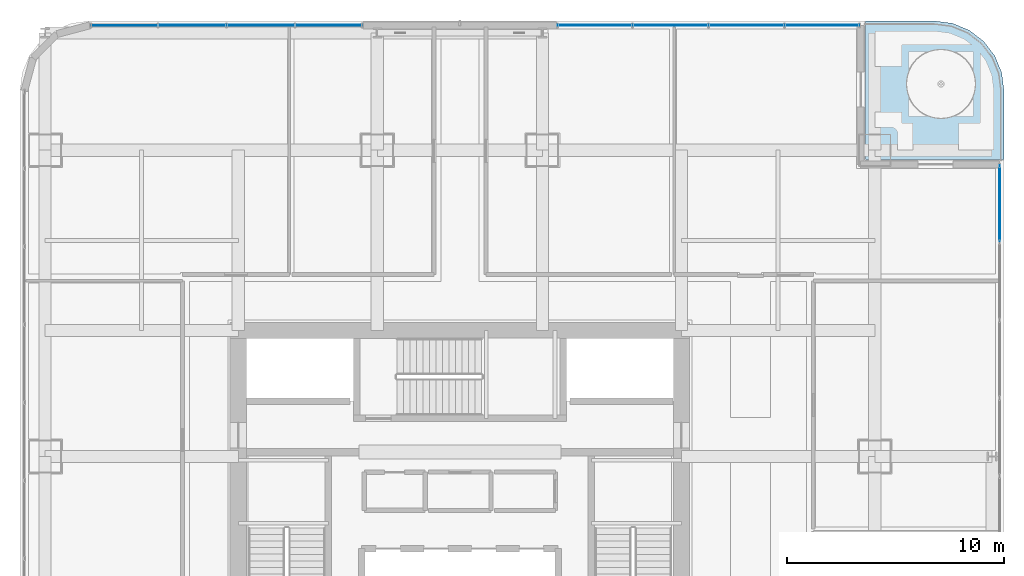
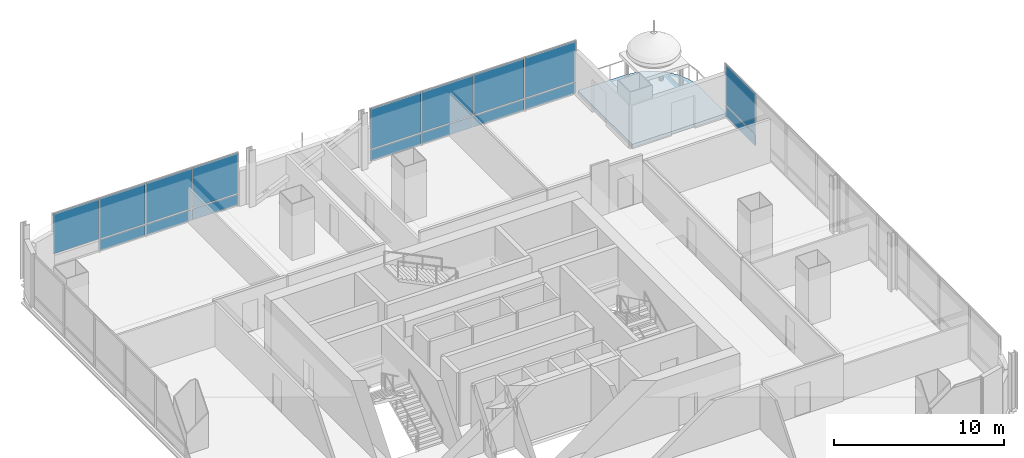
# One storey, part 24 of 37: 17 plates, 1 slab, 3 elements without a shape of their own.
"""IFC4 building model written with IfcOpenShell, lengths in metres."""

import ifcopenshell
import ifcopenshell.guid

model = None  # the IFC model being written
_history = None  # IfcOwnerHistory: only IFC2X3 demands one
_inside = {}  # id of a spatial element -> (the spatial element, [elements in it])
_under = {}  # id of a project, library or spatial element -> (it, [spatial elements below it])
_declared = {}  # id of a project -> (the project, [libraries it declares])
_typed = {}  # id of a type object -> (the type object, [elements of that type])
_made_of = {}  # id of a material, layer set ... -> (it, [elements and type objects made of it])


def new_model(schema):
    """Start an empty IFC model of exactly this schema.

    Asked for "IFC4X3", IfcOpenShell would pick the latest addendum, in which some entities
    have other attributes; the version numbers below select the first issue.
    IFC2X3 requires an IfcOwnerHistory on every rooted entity: one is made here for all.
    """
    global model, _history
    if schema == "IFC4X3":
        model = ifcopenshell.file(schema_version=(4, 3, 0, 0))
    else:
        model = ifcopenshell.file(schema=schema)
    _inside.clear()
    _under.clear()
    _declared.clear()
    _typed.clear()
    _made_of.clear()
    _history = None
    if model.schema == "IFC2X3":
        org = make("IfcOrganization", Name="unknown")
        user = make(
            "IfcPersonAndOrganization",
            ThePerson=make("IfcPerson", FamilyName="unknown"),
            TheOrganization=org,
        )
        app = make(
            "IfcApplication",
            ApplicationDeveloper=org,
            Version="unknown",
            ApplicationFullName="unknown",
            ApplicationIdentifier="unknown",
        )
        _history = make(
            "IfcOwnerHistory",
            OwningUser=user,
            OwningApplication=app,
            ChangeAction="ADDED",
            CreationDate=0,
        )
    return model


def make(cls, **values):
    """One entity of the class cls with the attributes given. An attribute that is None is left unset."""
    return model.create_entity(
        cls, **{name: value for name, value in values.items() if value is not None}
    )


def rooted(cls, **values):
    """An entity with a GlobalId (a new one), such as an element, a storey or a relation."""
    return make(cls, GlobalId=ifcopenshell.guid.new(), OwnerHistory=_history, **values)


def si_unit(unit_type, name, prefix=None):
    """IfcSIUnit, for example si_unit("LENGTHUNIT", "METRE", prefix="MILLI")."""
    return make("IfcSIUnit", UnitType=unit_type, Prefix=prefix, Name=name)


def assignment(units):
    """IfcUnitAssignment: the units of a project."""
    return None if units is None else make("IfcUnitAssignment", Units=units)


def point(xyz):
    """IfcCartesianPoint."""
    return None if xyz is None else make("IfcCartesianPoint", Coordinates=xyz)


def direction(xyz):
    """IfcDirection."""
    return None if xyz is None else make("IfcDirection", DirectionRatios=xyz)


def frame(location, z_axis=None, x_axis=None):
    """IfcAxis2Placement3D, a coordinate frame: its origin and axes. An axis left out is left unset."""
    return make(
        "IfcAxis2Placement3D",
        Location=point(location),
        Axis=direction(z_axis),
        RefDirection=direction(x_axis),
    )


def frame_2d(location, x_axis=None):
    """IfcAxis2Placement2D, a coordinate frame in the plane: its origin and x axis."""
    return make(
        "IfcAxis2Placement2D", Location=point(location), RefDirection=direction(x_axis)
    )


def origin():
    """The frame at (0, 0, 0) with its axes left unset."""
    return frame((0.0, 0.0, 0.0))


def origin_2d():
    """The frame at (0, 0) in the plane with its x axis left unset."""
    return frame_2d((0.0, 0.0))


def place(relative_to, where):
    """IfcLocalPlacement: puts the frame where relative to a parent placement (None: the world)."""
    return make(
        "IfcLocalPlacement", PlacementRelTo=relative_to, RelativePlacement=where
    )


def context(
    kind, dimensions, precision=None, world=None, true_north=None, identifier=None
):
    """IfcGeometricRepresentationContext, for example the 3D "Model" context."""
    return make(
        "IfcGeometricRepresentationContext",
        ContextIdentifier=identifier,
        ContextType=kind,
        CoordinateSpaceDimension=dimensions,
        Precision=precision,
        WorldCoordinateSystem=world,
        TrueNorth=true_north,
    )


def subcontext(parent, identifier, kind, view, scale=None):
    """IfcGeometricRepresentationSubContext, for example "Body" below "Model"."""
    return make(
        "IfcGeometricRepresentationSubContext",
        ContextIdentifier=identifier,
        ContextType=kind,
        ParentContext=parent,
        TargetScale=scale,
        TargetView=view,
    )


def project(units=None, contexts=None):
    """IfcProject with its units and contexts."""
    return rooted(
        "IfcProject",
        Name="project",
        RepresentationContexts=contexts,
        UnitsInContext=assignment(units),
    )


def spatial(cls, under=None, at=None, **own):
    """A site, building, storey or space (cls), placed at a placement, below another one or the project."""
    s = rooted(cls, ObjectPlacement=at, **own)
    if under is not None:
        _under.setdefault(under.id(), (under, []))[1].append(s)
    return s


def polyline(points):
    """IfcPolyline through the points."""
    return make("IfcPolyline", Points=[point(p) for p in points])


def profile(cls, at=None, kind="AREA", **sizes):
    """A parametric profile (cls). Its sizes go by their IFC names, for example OverallWidth=200.0."""
    return make(cls, ProfileType=kind, Position=at, **sizes)


def rectangle(**sizes):
    """IfcRectangleProfileDef."""
    return profile("IfcRectangleProfileDef", **sizes)


def outline(outer, holes=None, kind="AREA"):
    """IfcArbitraryClosedProfileDef: a profile drawn as a closed curve; with holes, ...WithVoids."""
    if holes is None:
        return make("IfcArbitraryClosedProfileDef", ProfileType=kind, OuterCurve=outer)
    return make(
        "IfcArbitraryProfileDefWithVoids",
        ProfileType=kind,
        OuterCurve=outer,
        InnerCurves=holes,
    )


def extrude(swept, where, along, depth):
    """IfcExtrudedAreaSolid: the profile swept, set in the frame where, extruded along a direction by depth."""
    return make(
        "IfcExtrudedAreaSolid",
        SweptArea=swept,
        Position=where,
        ExtrudedDirection=direction(along),
        Depth=depth,
    )


def shape(context_of_items, identifier, shape_type, items):
    """IfcShapeRepresentation: the items that make up one representation, for example the "Body"."""
    return make(
        "IfcShapeRepresentation",
        ContextOfItems=context_of_items,
        RepresentationIdentifier=identifier,
        RepresentationType=shape_type,
        Items=items,
    )


def material(Name=None, Category=None):
    """IfcMaterial."""
    return make("IfcMaterial", Name=Name, Category=Category)


def layer(
    of_material, thickness, ventilated=None, Name=None, Category=None, Priority=None
):
    """IfcMaterialLayer: one layer of a wall or slab, of a material (None: an air gap)."""
    return make(
        "IfcMaterialLayer",
        Material=of_material,
        LayerThickness=thickness,
        IsVentilated=ventilated,
        Name=Name,
        Category=Category,
        Priority=Priority,
    )


def layer_set(layers, Name=None):
    """IfcMaterialLayerSet."""
    return make("IfcMaterialLayerSet", MaterialLayers=layers, LayerSetName=Name)


def made_of(thing, what):
    """Note that an element or type object is made of a material, layer set ...; save() writes the relation."""
    if what is not None:
        _made_of.setdefault(what.id(), (what, []))[1].append(thing)
    return thing


def type_object(cls, material=None, **own):
    """A type object (cls), such as IfcWallType, which elements share."""
    return made_of(rooted(cls, **own), material)


def element(
    cls,
    number,
    at=None,
    inside=None,
    cuts=None,
    type_object=None,
    material=None,
    context=None,
    identifier="Body",
    shape_type=None,
    held_by="IfcProductDefinitionShape",
    body=None,
    shapes=None,
    **own,
):
    """One element of the class cls, such as IfcWall. Its Tag is "e" and its number.

    at: its placement. inside: the storey or other place that contains it. cuts: it is an
    opening in that element (IfcRelVoidsElement). A single representation is given by context,
    identifier, shape_type and body (its items); several are given by shapes. held_by: the class
    of the entity that holds the representations. save() writes the other relations.
    """
    e = rooted(cls, Tag="e%d" % number, ObjectPlacement=at, **own)
    if body is not None:
        shapes = [shape(context, identifier, shape_type, body)]
    if shapes is not None:
        e.Representation = make(held_by, Representations=shapes)
    if inside is not None:
        _inside.setdefault(inside.id(), (inside, []))[1].append(e)
    if cuts is not None:
        rooted(
            "IfcRelVoidsElement", RelatingBuildingElement=cuts, RelatedOpeningElement=e
        )
    if type_object is not None:
        _typed.setdefault(type_object.id(), (type_object, []))[1].append(e)
    return made_of(e, material)


def aggregate(whole, parts):
    """IfcRelAggregates: a whole, such as a stair, and the parts it consists of."""
    return rooted("IfcRelAggregates", RelatingObject=whole, RelatedObjects=parts)


def save(model, path):
    """Write the relations noted so far, then the file.

    IfcRelAggregates (storeys below a building ...), IfcRelContainedInSpatialStructure (elements
    in a storey), IfcRelDefinesByType, IfcRelAssociatesMaterial and IfcRelDeclares: one each for
    every whole, place, type object, material and project.
    """
    for whole, parts in _under.values():
        aggregate(whole, parts)
    for where, things in _inside.values():
        rooted(
            "IfcRelContainedInSpatialStructure",
            RelatedElements=things,
            RelatingStructure=where,
        )
    for kind, things in _typed.values():
        rooted("IfcRelDefinesByType", RelatedObjects=things, RelatingType=kind)
    for what, things in _made_of.values():
        rooted("IfcRelAssociatesMaterial", RelatedObjects=things, RelatingMaterial=what)
    for by, libraries in _declared.values():
        rooted("IfcRelDeclares", RelatingContext=by, RelatedDefinitions=libraries)
    model.write(path)


model = new_model("IFC4")

# Units and contexts
model_context = context("Model", 3, precision=1e-05, world=origin(), true_north=direction((0.0, 1.0)))
body_context = subcontext(model_context, "Body", "Model", "MODEL_VIEW")
ifc_project = project(units=[si_unit("LENGTHUNIT", "METRE"), si_unit("AREAUNIT", "SQUARE_METRE"), si_unit("VOLUMEUNIT", "CUBIC_METRE"), si_unit("PLANEANGLEUNIT", "RADIAN"), si_unit("MASSUNIT", "GRAM", prefix="KILO")], contexts=[model_context])

# Site, building, storey
site_placement = place(None, origin())
site = spatial("IfcSite", under=ifc_project, at=site_placement, CompositionType="ELEMENT")
building_placement = place(site_placement, origin())
building = spatial("IfcBuilding", under=site, at=building_placement, Name="Punatoya Terracotta Tower", CompositionType="ELEMENT")
storey_placement = place(building_placement, frame((0.0, 0.0, 109.199951171875)))
storey = spatial("IfcBuildingStorey", under=building, at=storey_placement, Name="L25", CompositionType="ELEMENT", Elevation=109.199951171875)

# Curtain wall, plate
ifc_material_1 = material(Name="Aluminium 6063-T6 + Double Low-E Glass", Category="aluminium")
curtain_wall_type = type_object("IfcCurtainWallType", Name="CW-M1", PredefinedType="NOTDEFINED", material=ifc_material_1)
curtain_wall_1_placement = place(storey_placement, origin())
curtain_wall_1 = element("IfcCurtainWall", 1, at=curtain_wall_1_placement, inside=storey, type_object=curtain_wall_type, Name="L25 Curtain Wall CW-L25-E05-1", PredefinedType="NOTDEFINED")
ifc_material_2 = material(Name="Double Low-E Clear Vision Glass", Category="glass")
ifc_layer_1 = layer(ifc_material_2, 0.028076171875)
ifc_layer_set_1 = layer_set([ifc_layer_1], Name="Double Low-E Clear Vision Glass")
plate_type_1 = type_object("IfcPlateType", Name="PLT-GLZ-28", PredefinedType="CURTAIN_PANEL", material=ifc_layer_set_1)
plate_1_placement = place(storey_placement, frame((24.85009765625, 15.056396484375, 0.89013671875), z_axis=(0.0, 0.0, 1.0), x_axis=(0.0, 1.0, 0.0)))
plate_1 = element("IfcPlate", 2, at=plate_1_placement, type_object=plate_type_1, Name="CW-L25-E05-1 Vision Glass Panel 9", PredefinedType="CURTAIN_PANEL", context=body_context, shape_type="SweptSolid", body=[
    extrude(rectangle(XDim=3.50244140625, YDim=0.028076171875, at=origin_2d()), origin(), (0.0, 0.0, 1.0), 2.8798828125),
])

# Curtain wall, plates
curtain_wall_2_placement = place(storey_placement, origin())
curtain_wall_2 = element("IfcCurtainWall", 3, at=curtain_wall_2_placement, inside=storey, type_object=curtain_wall_type, Name="L25 Curtain Wall CW-L25-N08-1", PredefinedType="NOTDEFINED")
plate_2_placement = place(storey_placement, frame((16.699951171875, 23.25, 0.89013671875), z_axis=(0.0, 0.0, 1.0), x_axis=(-1.0, 0.0, 0.0)))
plate_2 = element("IfcPlate", 4, at=plate_2_placement, type_object=plate_type_1, Name="CW-L25-N08-1 Vision Glass Panel 1", PredefinedType="CURTAIN_PANEL", context=body_context, shape_type="SweptSolid", body=[
    extrude(rectangle(XDim=3.4150390625, YDim=0.028076171875, at=origin_2d()), origin(), (0.0, 0.0, 1.0), 2.8798828125),
])
plate_3_placement = place(storey_placement, frame((13.199951171875, 23.25, 0.89013671875), z_axis=(0.0, 0.0, 1.0), x_axis=(-1.0, 0.0, 0.0)))
plate_3 = element("IfcPlate", 5, at=plate_3_placement, type_object=plate_type_1, Name="CW-L25-N08-1 Vision Glass Panel 2", PredefinedType="CURTAIN_PANEL", context=body_context, shape_type="SweptSolid", body=[
    extrude(rectangle(XDim=3.4150390625, YDim=0.028076171875, at=origin_2d()), origin(), (0.0, 0.0, 1.0), 2.8798828125),
])
plate_4_placement = place(storey_placement, frame((9.699951171875, 23.25, 0.89013671875), z_axis=(0.0, 0.0, 1.0), x_axis=(-1.0, 0.0, 0.0)))
plate_4 = element("IfcPlate", 6, at=plate_4_placement, type_object=plate_type_1, Name="CW-L25-N08-1 Vision Glass Panel 3", PredefinedType="CURTAIN_PANEL", context=body_context, shape_type="SweptSolid", body=[
    extrude(rectangle(XDim=3.4150390625, YDim=0.028076171875, at=origin_2d()), origin(), (0.0, 0.0, 1.0), 2.8798828125),
])
plate_5_placement = place(storey_placement, frame((6.199951171875, 23.25, 0.89013671875), z_axis=(0.0, 0.0, 1.0), x_axis=(-1.0, 0.0, 0.0)))
plate_5 = element("IfcPlate", 7, at=plate_5_placement, type_object=plate_type_1, Name="CW-L25-N08-1 Vision Glass Panel 4", PredefinedType="CURTAIN_PANEL", context=body_context, shape_type="SweptSolid", body=[
    extrude(rectangle(XDim=3.4150390625, YDim=0.028076171875, at=origin_2d()), origin(), (0.0, 0.0, 1.0), 2.8798828125),
])

curtain_wall_3_placement = place(storey_placement, origin())
curtain_wall_3 = element("IfcCurtainWall", 8, at=curtain_wall_3_placement, inside=storey, type_object=curtain_wall_type, Name="L25 Curtain Wall CW-L25-N08-2", PredefinedType="NOTDEFINED")
plate_6_placement = place(storey_placement, frame((-6.0234375, 23.25, 0.89013671875), z_axis=(0.0, 0.0, 1.0), x_axis=(-1.0, 0.0, 0.0)))
plate_6 = element("IfcPlate", 9, at=plate_6_placement, type_object=plate_type_1, Name="CW-L25-N08-2 Vision Glass Panel 1", PredefinedType="CURTAIN_PANEL", context=body_context, shape_type="SweptSolid", body=[
    extrude(rectangle(XDim=3.061767578125, YDim=0.028076171875, at=origin_2d()), origin(), (0.0, 0.0, 1.0), 2.8798828125),
])
plate_7_placement = place(storey_placement, frame((-9.170166015625, 23.25, 0.89013671875), z_axis=(0.0, 0.0, 1.0), x_axis=(-1.0, 0.0, 0.0)))
plate_7 = element("IfcPlate", 10, at=plate_7_placement, type_object=plate_type_1, Name="CW-L25-N08-2 Vision Glass Panel 2", PredefinedType="CURTAIN_PANEL", context=body_context, shape_type="SweptSolid", body=[
    extrude(rectangle(XDim=3.061767578125, YDim=0.028076171875, at=origin_2d()), origin(), (0.0, 0.0, 1.0), 2.8798828125),
])
plate_8_placement = place(storey_placement, frame((-12.31689453125, 23.25, 0.89013671875), z_axis=(0.0, 0.0, 1.0), x_axis=(-1.0, 0.0, 0.0)))
plate_8 = element("IfcPlate", 11, at=plate_8_placement, type_object=plate_type_1, Name="CW-L25-N08-2 Vision Glass Panel 3", PredefinedType="CURTAIN_PANEL", context=body_context, shape_type="SweptSolid", body=[
    extrude(rectangle(XDim=3.061767578125, YDim=0.028076171875, at=origin_2d()), origin(), (0.0, 0.0, 1.0), 2.8798828125),
])
plate_9_placement = place(storey_placement, frame((-15.46337890625, 23.25, 0.89013671875), z_axis=(0.0, 0.0, 1.0), x_axis=(-1.0, 0.0, 0.0)))
plate_9 = element("IfcPlate", 12, at=plate_9_placement, type_object=plate_type_1, Name="CW-L25-N08-2 Vision Glass Panel 4", PredefinedType="CURTAIN_PANEL", context=body_context, shape_type="SweptSolid", body=[
    extrude(rectangle(XDim=3.061767578125, YDim=0.028076171875, at=origin_2d()), origin(), (0.0, 0.0, 1.0), 2.8798828125),
])

# Plate
ifc_material_3 = material(Name="Insulated Terracotta-Backed Spandrel Panel", Category="masonry")
ifc_layer_2 = layer(ifc_material_3, 0.044921875)
ifc_layer_set_2 = layer_set([ifc_layer_2], Name="Insulated Terracotta-Backed Spandrel Panel")
plate_type_2 = type_object("IfcPlateType", Name="PLT-SPN-45", PredefinedType="CURTAIN_PANEL", material=ifc_layer_set_2)
plate_10_placement = place(storey_placement, frame((24.85009765625, 15.056396484375, 0.0400390625), z_axis=(0.0, 0.0, 1.0), x_axis=(0.0, 1.0, 0.0)))
plate_10 = element("IfcPlate", 13, at=plate_10_placement, type_object=plate_type_2, Name="CW-L25-E05-1 Terracotta Spandrel Panel 9", PredefinedType="CURTAIN_PANEL", context=body_context, shape_type="SweptSolid", body=[
    extrude(rectangle(XDim=3.50244140625, YDim=0.044921875, at=origin_2d()), origin(), (0.0, 0.0, 1.0), 0.77490234375),
])

aggregate(curtain_wall_1, [plate_10, plate_1])

plate_11_placement = place(storey_placement, frame((16.699951171875, 23.25, 0.0400390625), z_axis=(0.0, 0.0, 1.0), x_axis=(-1.0, 0.0, 0.0)))
plate_11 = element("IfcPlate", 14, at=plate_11_placement, type_object=plate_type_2, Name="CW-L25-N08-1 Terracotta Spandrel Panel 1", PredefinedType="CURTAIN_PANEL", context=body_context, shape_type="SweptSolid", body=[
    extrude(rectangle(XDim=3.4150390625, YDim=0.044921875, at=origin_2d()), origin(), (0.0, 0.0, 1.0), 0.77490234375),
])

plate_12_placement = place(storey_placement, frame((13.199951171875, 23.25, 0.0400390625), z_axis=(0.0, 0.0, 1.0), x_axis=(-1.0, 0.0, 0.0)))
plate_12 = element("IfcPlate", 15, at=plate_12_placement, type_object=plate_type_2, Name="CW-L25-N08-1 Terracotta Spandrel Panel 2", PredefinedType="CURTAIN_PANEL", context=body_context, shape_type="SweptSolid", body=[
    extrude(rectangle(XDim=3.4150390625, YDim=0.044921875, at=origin_2d()), origin(), (0.0, 0.0, 1.0), 0.77490234375),
])

plate_13_placement = place(storey_placement, frame((9.699951171875, 23.25, 0.0400390625), z_axis=(0.0, 0.0, 1.0), x_axis=(-1.0, 0.0, 0.0)))
plate_13 = element("IfcPlate", 16, at=plate_13_placement, type_object=plate_type_2, Name="CW-L25-N08-1 Terracotta Spandrel Panel 3", PredefinedType="CURTAIN_PANEL", context=body_context, shape_type="SweptSolid", body=[
    extrude(rectangle(XDim=3.4150390625, YDim=0.044921875, at=origin_2d()), origin(), (0.0, 0.0, 1.0), 0.77490234375),
])

plate_14_placement = place(storey_placement, frame((6.199951171875, 23.25, 0.0400390625), z_axis=(0.0, 0.0, 1.0), x_axis=(-1.0, 0.0, 0.0)))
plate_14 = element("IfcPlate", 17, at=plate_14_placement, type_object=plate_type_2, Name="CW-L25-N08-1 Terracotta Spandrel Panel 4", PredefinedType="CURTAIN_PANEL", context=body_context, shape_type="SweptSolid", body=[
    extrude(rectangle(XDim=3.4150390625, YDim=0.044921875, at=origin_2d()), origin(), (0.0, 0.0, 1.0), 0.77490234375),
])

aggregate(curtain_wall_2, [plate_11, plate_2, plate_12, plate_3, plate_13, plate_4, plate_14, plate_5])

plate_15_placement = place(storey_placement, frame((-6.0234375, 23.25, 0.0400390625), z_axis=(0.0, 0.0, 1.0), x_axis=(-1.0, 0.0, 0.0)))
plate_15 = element("IfcPlate", 18, at=plate_15_placement, type_object=plate_type_2, Name="CW-L25-N08-2 Terracotta Spandrel Panel 1", PredefinedType="CURTAIN_PANEL", context=body_context, shape_type="SweptSolid", body=[
    extrude(rectangle(XDim=3.061767578125, YDim=0.044921875, at=origin_2d()), origin(), (0.0, 0.0, 1.0), 0.77490234375),
])

plate_16_placement = place(storey_placement, frame((-9.170166015625, 23.25, 0.0400390625), z_axis=(0.0, 0.0, 1.0), x_axis=(-1.0, 0.0, 0.0)))
plate_16 = element("IfcPlate", 19, at=plate_16_placement, type_object=plate_type_2, Name="CW-L25-N08-2 Terracotta Spandrel Panel 2", PredefinedType="CURTAIN_PANEL", context=body_context, shape_type="SweptSolid", body=[
    extrude(rectangle(XDim=3.061767578125, YDim=0.044921875, at=origin_2d()), origin(), (0.0, 0.0, 1.0), 0.77490234375),
])

plate_17_placement = place(storey_placement, frame((-12.31689453125, 23.25, 0.0400390625), z_axis=(0.0, 0.0, 1.0), x_axis=(-1.0, 0.0, 0.0)))
plate_17 = element("IfcPlate", 20, at=plate_17_placement, type_object=plate_type_2, Name="CW-L25-N08-2 Terracotta Spandrel Panel 3", PredefinedType="CURTAIN_PANEL", context=body_context, shape_type="SweptSolid", body=[
    extrude(rectangle(XDim=3.061767578125, YDim=0.044921875, at=origin_2d()), origin(), (0.0, 0.0, 1.0), 0.77490234375),
])

aggregate(curtain_wall_3, [plate_15, plate_6, plate_16, plate_7, plate_17, plate_8, plate_9])

# Slab
ifc_material_4 = material(Name="Concrete C40/50", Category="concrete")
ifc_layer_3 = layer(ifc_material_4, 0.239990234375)
ifc_layer_set_3 = layer_set([ifc_layer_3], Name="Concrete C40/50")
slab_type = type_object("IfcSlabType", Name="SLB-OFF-240", PredefinedType="FLOOR", material=ifc_layer_set_3)
slab_placement = place(storey_placement, frame((0.0, 0.0, -0.239990234375)))
element("IfcSlab", 21, at=slab_placement, inside=storey, type_object=slab_type, Name="L25 NE Corner Sky-Court Terrace Slab", PredefinedType="FLOOR", context=body_context, shape_type="SweptSolid", body=[
    extrude(outline(polyline([(21.85009765625, 23.449951171875), (22.67822265625, 23.341064453125), (23.449951171875, 23.021240234375), (24.11279296875, 22.5126953125), (24.621337890625, 21.85009765625), (24.94091796875, 21.078125), (25.050048828125, 20.25), (25.050048828125, 17.070068359375), (18.669921875, 17.070068359375), (18.669921875, 23.449951171875), (21.85009765625, 23.449951171875)])), origin(), (0.0, 0.0, 1.0), 0.239990234375),
])

save(model, "model.ifc")
